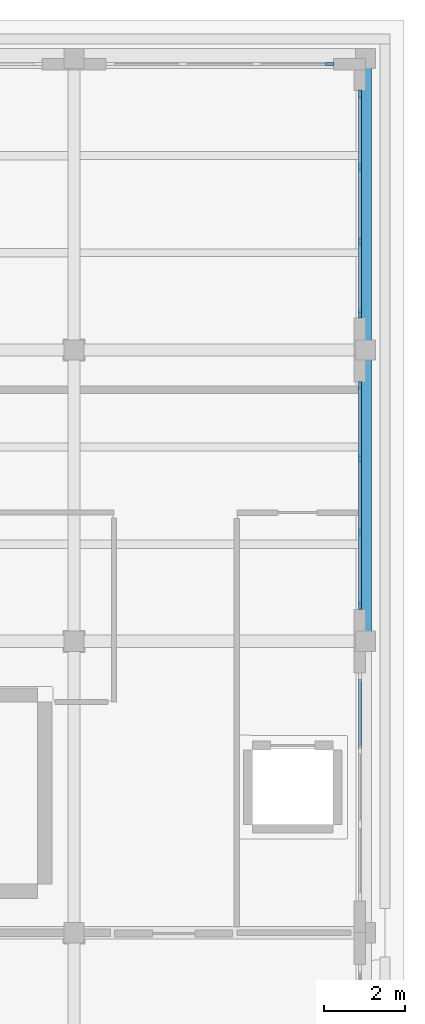
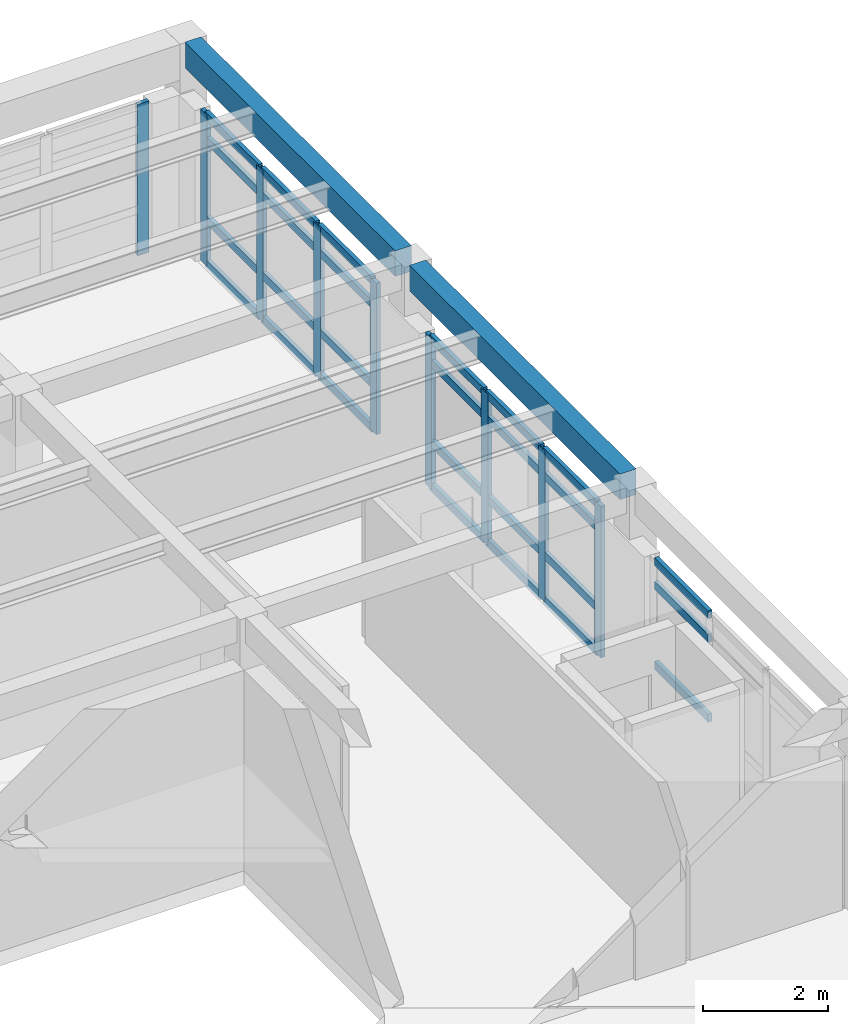
# One storey, part 9 of 18: 36 members, 2 beams, 4 elements without a shape of their own.
"""IFC4 building model written with IfcOpenShell, lengths in metres."""

from ifc_helpers import new_model, si_unit, direction, frame, origin, origin_2d, place, context, subcontext, project, spatial, rectangle, extrude, material, layer, layer_set, material_profile, profile_set, type_object, element, aggregate, save


model = new_model("IFC4")

# Units and contexts
model_context = context("Model", 3, precision=1e-05, world=origin(), true_north=direction((0.0, 1.0)))
body_context = subcontext(model_context, "Body", "Model", "MODEL_VIEW")
ifc_project = project(units=[si_unit("LENGTHUNIT", "METRE"), si_unit("AREAUNIT", "SQUARE_METRE"), si_unit("VOLUMEUNIT", "CUBIC_METRE"), si_unit("PLANEANGLEUNIT", "RADIAN"), si_unit("MASSUNIT", "GRAM", prefix="KILO")], contexts=[model_context])

# Site, building, storey
site_placement = place(None, origin())
site = spatial("IfcSite", under=ifc_project, at=site_placement, CompositionType="ELEMENT")
building_placement = place(site_placement, origin())
building = spatial("IfcBuilding", under=site, at=building_placement, Name="Solenvale Faculty of Natural Sciences", CompositionType="ELEMENT")
storey_placement = place(building_placement, frame((0.0, 0.0, 39.60009765625)))
storey = spatial("IfcBuildingStorey", under=building, at=storey_placement, Name="L09", CompositionType="ELEMENT", Elevation=39.60009765625)

# Beams
ifc_material_1 = material(Name="Concrete 40 MPa", Category="concrete")
ifc_material_profile_1 = material_profile(ifc_material_1, rectangle(XDim=0.300048828125, YDim=0.5, at=origin_2d()), Name="RC-BM-300x500")
ifc_profile_set_1 = profile_set([ifc_material_profile_1], Name="Concrete 40 MPa")
beam_type = type_object("IfcBeamType", Name="BM-RC-300x500", PredefinedType="BEAM", material=ifc_profile_set_1)
for number, where, z_axis, x_axis, name in (
    (1, (151.199951171875, 101.030029296875, 3.669921875), (0.0, 1.0, 0.0), (-1.0, 0.0, 0.0), "L09 Y-Girder X151.2 (100.8..108.0)"),
    (2, (151.199951171875, 108.22998046875, 3.669921875), (0.0, 1.0, 0.0), (-1.0, 0.0, 0.0), "L09 Y-Girder X151.2 (108.0..115.2)"),
):
    element("IfcBeam", number, at=place(storey_placement, frame(where, z_axis=z_axis, x_axis=x_axis)), inside=storey, type_object=beam_type, Name=name, PredefinedType="BEAM", context=body_context, shape_type="SweptSolid", body=[
        extrude(rectangle(XDim=0.300048828125, YDim=0.5, at=origin_2d()), origin(), (0.0, 0.0, 1.0), 6.739990234375),
    ])

# Curtain wall, members
ifc_material_2 = material(Name="Anodised bronze aluminium", Category="aluminium")
ifc_layer = layer(ifc_material_2, 0.179931640625)
ifc_layer_set = layer_set([ifc_layer], Name="Anodised bronze aluminium")
curtain_wall_type = type_object("IfcCurtainWallType", Name="CW-TWR-MOD", PredefinedType="USERDEFINED", material=ifc_layer_set)
curtain_wall_1_placement = place(storey_placement, origin())
curtain_wall_1 = element("IfcCurtainWall", 3, at=curtain_wall_1_placement, inside=storey, type_object=curtain_wall_type, Name="L09 Curtain Wall CW-L09-P1-E1-B2", ObjectType="UNITISED CURTAIN WALL", PredefinedType="USERDEFINED")
ifc_material_profile_2 = material_profile(ifc_material_2, rectangle(XDim=0.074951171875, YDim=0.2099609375, at=origin_2d()), Name="ALU-MUL-75x210")
ifc_profile_set_2 = profile_set([ifc_material_profile_2], Name="Anodised bronze aluminium")
member_type_1 = type_object("IfcMemberType", Name="CWM-ALU-75x210", PredefinedType="MULLION", material=ifc_profile_set_2)
member_1_placement = place(storey_placement, frame((151.0576171875, 101.6875, 0.0), z_axis=(0.0, 0.0, 1.0), x_axis=(-1.0, 0.0, 0.0)))
member_1 = element("IfcMember", 4, at=member_1_placement, type_object=member_type_1, Name="CW-04 mullion 1", PredefinedType="MULLION", context=body_context, shape_type="SweptSolid", body=[
    extrude(rectangle(XDim=0.074951171875, YDim=0.2099609375, at=origin_2d()), origin(), (0.0, 0.0, 1.0), 2.9599609375),
])
member_2_placement = place(storey_placement, frame((151.0576171875, 103.4833984375, 0.0), z_axis=(0.0, 0.0, 1.0), x_axis=(-1.0, 0.0, 0.0)))
member_2 = element("IfcMember", 5, at=member_2_placement, type_object=member_type_1, Name="CW-04 mullion 2", PredefinedType="MULLION", context=body_context, shape_type="SweptSolid", body=[
    extrude(rectangle(XDim=0.074951171875, YDim=0.2099609375, at=origin_2d()), origin(), (0.0, 0.0, 1.0), 2.9599609375),
])
member_3_placement = place(storey_placement, frame((151.0576171875, 105.316650390625, 0.0), z_axis=(0.0, 0.0, 1.0), x_axis=(-1.0, 0.0, 0.0)))
member_3 = element("IfcMember", 6, at=member_3_placement, type_object=member_type_1, Name="CW-04 mullion 3", PredefinedType="MULLION", context=body_context, shape_type="SweptSolid", body=[
    extrude(rectangle(XDim=0.074951171875, YDim=0.2099609375, at=origin_2d()), origin(), (0.0, 0.0, 1.0), 2.9599609375),
])
member_4_placement = place(storey_placement, frame((151.0576171875, 107.112548828125, 0.0), z_axis=(0.0, 0.0, 1.0), x_axis=(-1.0, 0.0, 0.0)))
member_4 = element("IfcMember", 7, at=member_4_placement, type_object=member_type_1, Name="CW-04 mullion 4", PredefinedType="MULLION", context=body_context, shape_type="SweptSolid", body=[
    extrude(rectangle(XDim=0.074951171875, YDim=0.2099609375, at=origin_2d()), origin(), (0.0, 0.0, 1.0), 2.9599609375),
])

curtain_wall_2_placement = place(storey_placement, origin())
curtain_wall_2 = element("IfcCurtainWall", 8, at=curtain_wall_2_placement, inside=storey, type_object=curtain_wall_type, Name="L09 Curtain Wall CW-L09-P1-E1-B3", ObjectType="UNITISED CURTAIN WALL", PredefinedType="USERDEFINED")
member_5_placement = place(storey_placement, frame((151.0576171875, 108.887451171875, 0.0), z_axis=(0.0, 0.0, 1.0), x_axis=(-1.0, 0.0, 0.0)))
member_5 = element("IfcMember", 9, at=member_5_placement, type_object=member_type_1, Name="CW-04 mullion 1", PredefinedType="MULLION", context=body_context, shape_type="SweptSolid", body=[
    extrude(rectangle(XDim=0.074951171875, YDim=0.2099609375, at=origin_2d()), origin(), (0.0, 0.0, 1.0), 2.9599609375),
])
member_6_placement = place(storey_placement, frame((151.0576171875, 110.683349609375, 0.0), z_axis=(0.0, 0.0, 1.0), x_axis=(-1.0, 0.0, 0.0)))
member_6 = element("IfcMember", 10, at=member_6_placement, type_object=member_type_1, Name="CW-04 mullion 2", PredefinedType="MULLION", context=body_context, shape_type="SweptSolid", body=[
    extrude(rectangle(XDim=0.074951171875, YDim=0.2099609375, at=origin_2d()), origin(), (0.0, 0.0, 1.0), 2.9599609375),
])
member_7_placement = place(storey_placement, frame((151.0576171875, 112.5166015625, 0.0), z_axis=(0.0, 0.0, 1.0), x_axis=(-1.0, 0.0, 0.0)))
member_7 = element("IfcMember", 11, at=member_7_placement, type_object=member_type_1, Name="CW-04 mullion 3", PredefinedType="MULLION", context=body_context, shape_type="SweptSolid", body=[
    extrude(rectangle(XDim=0.074951171875, YDim=0.2099609375, at=origin_2d()), origin(), (0.0, 0.0, 1.0), 2.9599609375),
])
member_8_placement = place(storey_placement, frame((151.0576171875, 114.3125, 0.0), z_axis=(0.0, 0.0, 1.0), x_axis=(-1.0, 0.0, 0.0)))
member_8 = element("IfcMember", 12, at=member_8_placement, type_object=member_type_1, Name="CW-04 mullion 4", PredefinedType="MULLION", context=body_context, shape_type="SweptSolid", body=[
    extrude(rectangle(XDim=0.074951171875, YDim=0.2099609375, at=origin_2d()), origin(), (0.0, 0.0, 1.0), 2.9599609375),
])

# Curtain wall, member
curtain_wall_3_placement = place(storey_placement, origin())
curtain_wall_3 = element("IfcCurtainWall", 13, at=curtain_wall_3_placement, inside=storey, type_object=curtain_wall_type, Name="L09 Curtain Wall CW-L09-P1-E2-B1", ObjectType="UNITISED CURTAIN WALL", PredefinedType="USERDEFINED")
member_9_placement = place(storey_placement, frame((150.3125, 115.0576171875, 0.0), z_axis=(0.0, 0.0, 1.0), x_axis=(0.0, -1.0, 0.0)))
member_9 = element("IfcMember", 14, at=member_9_placement, type_object=member_type_1, Name="CW-04 mullion 1", PredefinedType="MULLION", context=body_context, shape_type="SweptSolid", body=[
    extrude(rectangle(XDim=0.074951171875, YDim=0.2099609375, at=origin_2d()), origin(), (0.0, 0.0, 1.0), 2.9599609375),
])
aggregate(curtain_wall_3, [member_9])

# Curtain wall, members
curtain_wall_4_placement = place(storey_placement, origin())
curtain_wall_4 = element("IfcCurtainWall", 15, at=curtain_wall_4_placement, inside=storey, type_object=curtain_wall_type, Name="L09 Curtain Wall CW-L09-P1-E1-B1", ObjectType="UNITISED CURTAIN WALL", PredefinedType="USERDEFINED")
ifc_material_profile_3 = material_profile(ifc_material_2, rectangle(XDim=0.074951171875, YDim=0.155029296875, at=origin_2d()), Name="ALU-TRN-75x155")
ifc_profile_set_3 = profile_set([ifc_material_profile_3], Name="Anodised bronze aluminium")
member_type_2 = type_object("IfcMemberType", Name="CWT-ALU-75x155", PredefinedType="USERDEFINED", material=ifc_profile_set_3)
member_10_placement = place(storey_placement, frame((151.0576171875, 98.154052734375, 0.89990234375), z_axis=(0.0, 1.0, 0.0), x_axis=(-1.0, 0.0, 0.0)))
member_10 = element("IfcMember", 16, at=member_10_placement, type_object=member_type_2, Name="CW-04 transom 3.2", ObjectType="TRANSOM", PredefinedType="USERDEFINED", context=body_context, shape_type="SweptSolid", body=[
    extrude(rectangle(XDim=0.074951171875, YDim=0.155029296875, at=origin_2d()), origin(), (0.0, 0.0, 1.0), 1.720947265625),
])
member_11_placement = place(storey_placement, frame((151.0576171875, 98.154052734375, 2.4599609375), z_axis=(0.0, 1.0, 0.0), x_axis=(-1.0, 0.0, 0.0)))
member_11 = element("IfcMember", 17, at=member_11_placement, type_object=member_type_2, Name="CW-04 transom 3.3", ObjectType="TRANSOM", PredefinedType="USERDEFINED", context=body_context, shape_type="SweptSolid", body=[
    extrude(rectangle(XDim=0.074951171875, YDim=0.155029296875, at=origin_2d()), origin(), (0.0, 0.0, 1.0), 1.720947265625),
])
member_12_placement = place(storey_placement, frame((151.0576171875, 98.154052734375, 2.92236328125), z_axis=(0.0, 1.0, 0.0), x_axis=(-1.0, 0.0, 0.0)))
member_12 = element("IfcMember", 18, at=member_12_placement, type_object=member_type_2, Name="CW-04 transom 3.4", ObjectType="TRANSOM", PredefinedType="USERDEFINED", context=body_context, shape_type="SweptSolid", body=[
    extrude(rectangle(XDim=0.074951171875, YDim=0.155029296875, at=origin_2d()), origin(), (0.0, 0.0, 1.0), 1.720947265625),
])
aggregate(curtain_wall_4, [member_10, member_11, member_12])

# Member
member_13_placement = place(storey_placement, frame((151.0576171875, 101.72509765625, 0.037353515625), z_axis=(0.0, 1.0, 0.0), x_axis=(-1.0, 0.0, 0.0)))
member_13 = element("IfcMember", 19, at=member_13_placement, type_object=member_type_2, Name="CW-04 transom 1.1", ObjectType="TRANSOM", PredefinedType="USERDEFINED", context=body_context, shape_type="SweptSolid", body=[
    extrude(rectangle(XDim=0.074951171875, YDim=0.155029296875, at=origin_2d()), origin(), (0.0, 0.0, 1.0), 1.720703125),
])

member_14_placement = place(storey_placement, frame((151.0576171875, 101.72509765625, 0.89990234375), z_axis=(0.0, 1.0, 0.0), x_axis=(-1.0, 0.0, 0.0)))
member_14 = element("IfcMember", 20, at=member_14_placement, type_object=member_type_2, Name="CW-04 transom 1.2", ObjectType="TRANSOM", PredefinedType="USERDEFINED", context=body_context, shape_type="SweptSolid", body=[
    extrude(rectangle(XDim=0.074951171875, YDim=0.155029296875, at=origin_2d()), origin(), (0.0, 0.0, 1.0), 1.720703125),
])

member_15_placement = place(storey_placement, frame((151.0576171875, 101.72509765625, 2.4599609375), z_axis=(0.0, 1.0, 0.0), x_axis=(-1.0, 0.0, 0.0)))
member_15 = element("IfcMember", 21, at=member_15_placement, type_object=member_type_2, Name="CW-04 transom 1.3", ObjectType="TRANSOM", PredefinedType="USERDEFINED", context=body_context, shape_type="SweptSolid", body=[
    extrude(rectangle(XDim=0.074951171875, YDim=0.155029296875, at=origin_2d()), origin(), (0.0, 0.0, 1.0), 1.720703125),
])

member_16_placement = place(storey_placement, frame((151.0576171875, 101.72509765625, 2.92236328125), z_axis=(0.0, 1.0, 0.0), x_axis=(-1.0, 0.0, 0.0)))
member_16 = element("IfcMember", 22, at=member_16_placement, type_object=member_type_2, Name="CW-04 transom 1.4", ObjectType="TRANSOM", PredefinedType="USERDEFINED", context=body_context, shape_type="SweptSolid", body=[
    extrude(rectangle(XDim=0.074951171875, YDim=0.155029296875, at=origin_2d()), origin(), (0.0, 0.0, 1.0), 1.720703125),
])

member_17_placement = place(storey_placement, frame((151.0576171875, 103.520751953125, 0.037353515625), z_axis=(0.0, 1.0, 0.0), x_axis=(-1.0, 0.0, 0.0)))
member_17 = element("IfcMember", 23, at=member_17_placement, type_object=member_type_2, Name="CW-04 transom 2.1", ObjectType="TRANSOM", PredefinedType="USERDEFINED", context=body_context, shape_type="SweptSolid", body=[
    extrude(rectangle(XDim=0.074951171875, YDim=0.155029296875, at=origin_2d()), origin(), (0.0, 0.0, 1.0), 1.75830078125),
])

member_18_placement = place(storey_placement, frame((151.0576171875, 103.520751953125, 0.89990234375), z_axis=(0.0, 1.0, 0.0), x_axis=(-1.0, 0.0, 0.0)))
member_18 = element("IfcMember", 24, at=member_18_placement, type_object=member_type_2, Name="CW-04 transom 2.2", ObjectType="TRANSOM", PredefinedType="USERDEFINED", context=body_context, shape_type="SweptSolid", body=[
    extrude(rectangle(XDim=0.074951171875, YDim=0.155029296875, at=origin_2d()), origin(), (0.0, 0.0, 1.0), 1.75830078125),
])

member_19_placement = place(storey_placement, frame((151.0576171875, 103.520751953125, 2.4599609375), z_axis=(0.0, 1.0, 0.0), x_axis=(-1.0, 0.0, 0.0)))
member_19 = element("IfcMember", 25, at=member_19_placement, type_object=member_type_2, Name="CW-04 transom 2.3", ObjectType="TRANSOM", PredefinedType="USERDEFINED", context=body_context, shape_type="SweptSolid", body=[
    extrude(rectangle(XDim=0.074951171875, YDim=0.155029296875, at=origin_2d()), origin(), (0.0, 0.0, 1.0), 1.75830078125),
])

member_20_placement = place(storey_placement, frame((151.0576171875, 103.520751953125, 2.92236328125), z_axis=(0.0, 1.0, 0.0), x_axis=(-1.0, 0.0, 0.0)))
member_20 = element("IfcMember", 26, at=member_20_placement, type_object=member_type_2, Name="CW-04 transom 2.4", ObjectType="TRANSOM", PredefinedType="USERDEFINED", context=body_context, shape_type="SweptSolid", body=[
    extrude(rectangle(XDim=0.074951171875, YDim=0.155029296875, at=origin_2d()), origin(), (0.0, 0.0, 1.0), 1.75830078125),
])

member_21_placement = place(storey_placement, frame((151.0576171875, 105.354248046875, 0.037353515625), z_axis=(0.0, 1.0, 0.0), x_axis=(-1.0, 0.0, 0.0)))
member_21 = element("IfcMember", 27, at=member_21_placement, type_object=member_type_2, Name="CW-04 transom 3.1", ObjectType="TRANSOM", PredefinedType="USERDEFINED", context=body_context, shape_type="SweptSolid", body=[
    extrude(rectangle(XDim=0.074951171875, YDim=0.155029296875, at=origin_2d()), origin(), (0.0, 0.0, 1.0), 1.720703125),
])

member_22_placement = place(storey_placement, frame((151.0576171875, 105.354248046875, 0.89990234375), z_axis=(0.0, 1.0, 0.0), x_axis=(-1.0, 0.0, 0.0)))
member_22 = element("IfcMember", 28, at=member_22_placement, type_object=member_type_2, Name="CW-04 transom 3.2", ObjectType="TRANSOM", PredefinedType="USERDEFINED", context=body_context, shape_type="SweptSolid", body=[
    extrude(rectangle(XDim=0.074951171875, YDim=0.155029296875, at=origin_2d()), origin(), (0.0, 0.0, 1.0), 1.720703125),
])

member_23_placement = place(storey_placement, frame((151.0576171875, 105.354248046875, 2.4599609375), z_axis=(0.0, 1.0, 0.0), x_axis=(-1.0, 0.0, 0.0)))
member_23 = element("IfcMember", 29, at=member_23_placement, type_object=member_type_2, Name="CW-04 transom 3.3", ObjectType="TRANSOM", PredefinedType="USERDEFINED", context=body_context, shape_type="SweptSolid", body=[
    extrude(rectangle(XDim=0.074951171875, YDim=0.155029296875, at=origin_2d()), origin(), (0.0, 0.0, 1.0), 1.720703125),
])

member_24_placement = place(storey_placement, frame((151.0576171875, 105.354248046875, 2.92236328125), z_axis=(0.0, 1.0, 0.0), x_axis=(-1.0, 0.0, 0.0)))
member_24 = element("IfcMember", 30, at=member_24_placement, type_object=member_type_2, Name="CW-04 transom 3.4", ObjectType="TRANSOM", PredefinedType="USERDEFINED", context=body_context, shape_type="SweptSolid", body=[
    extrude(rectangle(XDim=0.074951171875, YDim=0.155029296875, at=origin_2d()), origin(), (0.0, 0.0, 1.0), 1.720703125),
])

aggregate(curtain_wall_1, [member_1, member_2, member_3, member_4, member_13, member_14, member_15, member_16, member_17, member_18, member_19, member_20, member_21, member_22, member_23, member_24])

member_25_placement = place(storey_placement, frame((151.0576171875, 108.925048828125, 0.037353515625), z_axis=(0.0, 1.0, 0.0), x_axis=(-1.0, 0.0, 0.0)))
member_25 = element("IfcMember", 31, at=member_25_placement, type_object=member_type_2, Name="CW-04 transom 1.1", ObjectType="TRANSOM", PredefinedType="USERDEFINED", context=body_context, shape_type="SweptSolid", body=[
    extrude(rectangle(XDim=0.074951171875, YDim=0.155029296875, at=origin_2d()), origin(), (0.0, 0.0, 1.0), 1.720703125),
])

member_26_placement = place(storey_placement, frame((151.0576171875, 108.925048828125, 0.89990234375), z_axis=(0.0, 1.0, 0.0), x_axis=(-1.0, 0.0, 0.0)))
member_26 = element("IfcMember", 32, at=member_26_placement, type_object=member_type_2, Name="CW-04 transom 1.2", ObjectType="TRANSOM", PredefinedType="USERDEFINED", context=body_context, shape_type="SweptSolid", body=[
    extrude(rectangle(XDim=0.074951171875, YDim=0.155029296875, at=origin_2d()), origin(), (0.0, 0.0, 1.0), 1.720703125),
])

member_27_placement = place(storey_placement, frame((151.0576171875, 108.925048828125, 2.4599609375), z_axis=(0.0, 1.0, 0.0), x_axis=(-1.0, 0.0, 0.0)))
member_27 = element("IfcMember", 33, at=member_27_placement, type_object=member_type_2, Name="CW-04 transom 1.3", ObjectType="TRANSOM", PredefinedType="USERDEFINED", context=body_context, shape_type="SweptSolid", body=[
    extrude(rectangle(XDim=0.074951171875, YDim=0.155029296875, at=origin_2d()), origin(), (0.0, 0.0, 1.0), 1.720703125),
])

member_28_placement = place(storey_placement, frame((151.0576171875, 108.925048828125, 2.92236328125), z_axis=(0.0, 1.0, 0.0), x_axis=(-1.0, 0.0, 0.0)))
member_28 = element("IfcMember", 34, at=member_28_placement, type_object=member_type_2, Name="CW-04 transom 1.4", ObjectType="TRANSOM", PredefinedType="USERDEFINED", context=body_context, shape_type="SweptSolid", body=[
    extrude(rectangle(XDim=0.074951171875, YDim=0.155029296875, at=origin_2d()), origin(), (0.0, 0.0, 1.0), 1.720703125),
])

member_29_placement = place(storey_placement, frame((151.0576171875, 110.720947265625, 0.037353515625), z_axis=(0.0, 1.0, 0.0), x_axis=(-1.0, 0.0, 0.0)))
member_29 = element("IfcMember", 35, at=member_29_placement, type_object=member_type_2, Name="CW-04 transom 2.1", ObjectType="TRANSOM", PredefinedType="USERDEFINED", context=body_context, shape_type="SweptSolid", body=[
    extrude(rectangle(XDim=0.074951171875, YDim=0.155029296875, at=origin_2d()), origin(), (0.0, 0.0, 1.0), 1.75830078125),
])

member_30_placement = place(storey_placement, frame((151.0576171875, 110.720947265625, 0.89990234375), z_axis=(0.0, 1.0, 0.0), x_axis=(-1.0, 0.0, 0.0)))
member_30 = element("IfcMember", 36, at=member_30_placement, type_object=member_type_2, Name="CW-04 transom 2.2", ObjectType="TRANSOM", PredefinedType="USERDEFINED", context=body_context, shape_type="SweptSolid", body=[
    extrude(rectangle(XDim=0.074951171875, YDim=0.155029296875, at=origin_2d()), origin(), (0.0, 0.0, 1.0), 1.75830078125),
])

member_31_placement = place(storey_placement, frame((151.0576171875, 110.720947265625, 2.4599609375), z_axis=(0.0, 1.0, 0.0), x_axis=(-1.0, 0.0, 0.0)))
member_31 = element("IfcMember", 37, at=member_31_placement, type_object=member_type_2, Name="CW-04 transom 2.3", ObjectType="TRANSOM", PredefinedType="USERDEFINED", context=body_context, shape_type="SweptSolid", body=[
    extrude(rectangle(XDim=0.074951171875, YDim=0.155029296875, at=origin_2d()), origin(), (0.0, 0.0, 1.0), 1.75830078125),
])

member_32_placement = place(storey_placement, frame((151.0576171875, 110.720947265625, 2.92236328125), z_axis=(0.0, 1.0, 0.0), x_axis=(-1.0, 0.0, 0.0)))
member_32 = element("IfcMember", 38, at=member_32_placement, type_object=member_type_2, Name="CW-04 transom 2.4", ObjectType="TRANSOM", PredefinedType="USERDEFINED", context=body_context, shape_type="SweptSolid", body=[
    extrude(rectangle(XDim=0.074951171875, YDim=0.155029296875, at=origin_2d()), origin(), (0.0, 0.0, 1.0), 1.75830078125),
])

member_33_placement = place(storey_placement, frame((151.0576171875, 112.55419921875, 0.037353515625), z_axis=(0.0, 1.0, 0.0), x_axis=(-1.0, 0.0, 0.0)))
member_33 = element("IfcMember", 39, at=member_33_placement, type_object=member_type_2, Name="CW-04 transom 3.1", ObjectType="TRANSOM", PredefinedType="USERDEFINED", context=body_context, shape_type="SweptSolid", body=[
    extrude(rectangle(XDim=0.074951171875, YDim=0.155029296875, at=origin_2d()), origin(), (0.0, 0.0, 1.0), 1.720703125),
])

member_34_placement = place(storey_placement, frame((151.0576171875, 112.55419921875, 0.89990234375), z_axis=(0.0, 1.0, 0.0), x_axis=(-1.0, 0.0, 0.0)))
member_34 = element("IfcMember", 40, at=member_34_placement, type_object=member_type_2, Name="CW-04 transom 3.2", ObjectType="TRANSOM", PredefinedType="USERDEFINED", context=body_context, shape_type="SweptSolid", body=[
    extrude(rectangle(XDim=0.074951171875, YDim=0.155029296875, at=origin_2d()), origin(), (0.0, 0.0, 1.0), 1.720703125),
])

member_35_placement = place(storey_placement, frame((151.0576171875, 112.55419921875, 2.4599609375), z_axis=(0.0, 1.0, 0.0), x_axis=(-1.0, 0.0, 0.0)))
member_35 = element("IfcMember", 41, at=member_35_placement, type_object=member_type_2, Name="CW-04 transom 3.3", ObjectType="TRANSOM", PredefinedType="USERDEFINED", context=body_context, shape_type="SweptSolid", body=[
    extrude(rectangle(XDim=0.074951171875, YDim=0.155029296875, at=origin_2d()), origin(), (0.0, 0.0, 1.0), 1.720703125),
])

member_36_placement = place(storey_placement, frame((151.0576171875, 112.55419921875, 2.92236328125), z_axis=(0.0, 1.0, 0.0), x_axis=(-1.0, 0.0, 0.0)))
member_36 = element("IfcMember", 42, at=member_36_placement, type_object=member_type_2, Name="CW-04 transom 3.4", ObjectType="TRANSOM", PredefinedType="USERDEFINED", context=body_context, shape_type="SweptSolid", body=[
    extrude(rectangle(XDim=0.074951171875, YDim=0.155029296875, at=origin_2d()), origin(), (0.0, 0.0, 1.0), 1.720703125),
])

aggregate(curtain_wall_2, [member_5, member_6, member_7, member_8, member_25, member_26, member_27, member_28, member_29, member_30, member_31, member_32, member_33, member_34, member_35, member_36])

save(model, "model.ifc")
